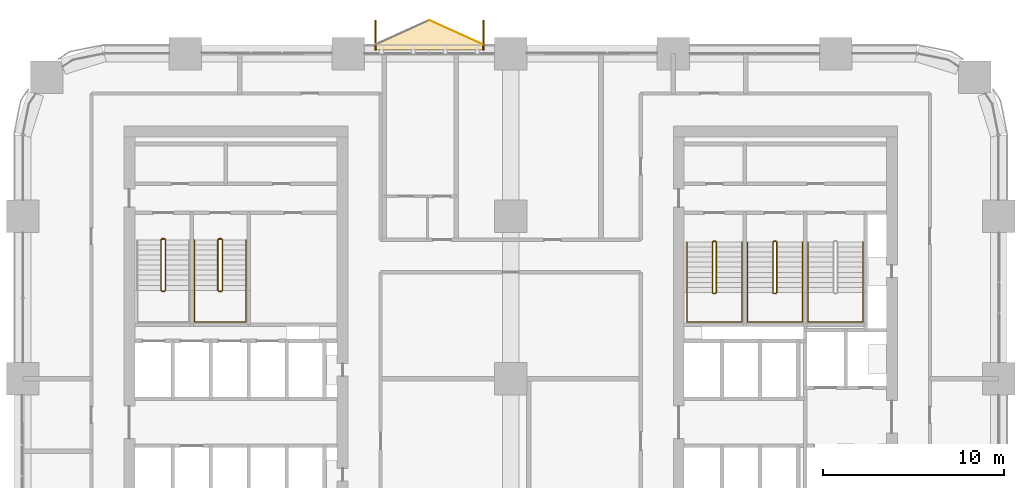
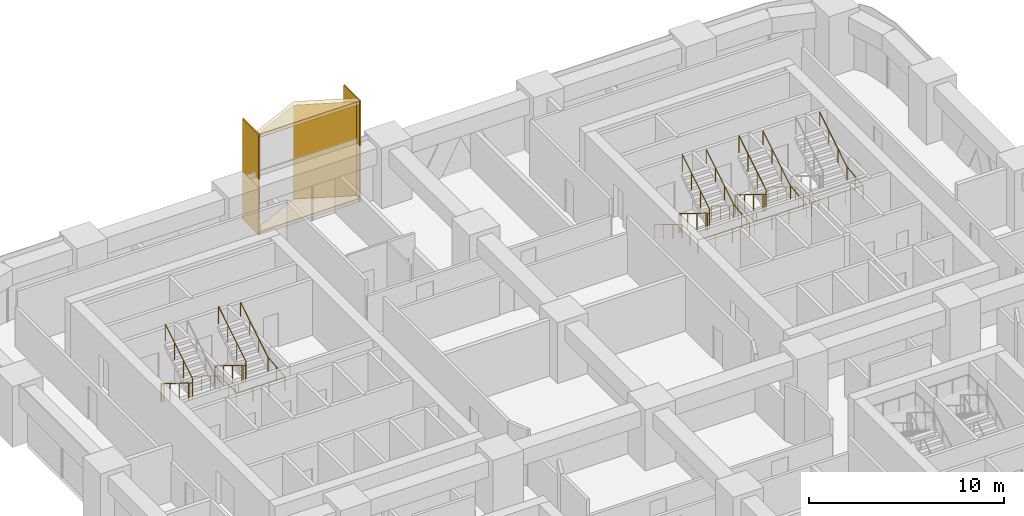
# One storey, part 22 of 23: 8 railings, 5 coverings.
"""IFC4 building model written with IfcOpenShell, lengths in metres."""

import ifcopenshell
import ifcopenshell.guid

model = None  # the IFC model being written
_history = None  # IfcOwnerHistory: only IFC2X3 demands one
_inside = {}  # id of a spatial element -> (the spatial element, [elements in it])
_under = {}  # id of a project, library or spatial element -> (it, [spatial elements below it])
_declared = {}  # id of a project -> (the project, [libraries it declares])
_typed = {}  # id of a type object -> (the type object, [elements of that type])
_made_of = {}  # id of a material, layer set ... -> (it, [elements and type objects made of it])


def new_model(schema):
    """Start an empty IFC model of exactly this schema.

    Asked for "IFC4X3", IfcOpenShell would pick the latest addendum, in which some entities
    have other attributes; the version numbers below select the first issue.
    IFC2X3 requires an IfcOwnerHistory on every rooted entity: one is made here for all.
    """
    global model, _history
    if schema == "IFC4X3":
        model = ifcopenshell.file(schema_version=(4, 3, 0, 0))
    else:
        model = ifcopenshell.file(schema=schema)
    _inside.clear()
    _under.clear()
    _declared.clear()
    _typed.clear()
    _made_of.clear()
    _history = None
    if model.schema == "IFC2X3":
        org = make("IfcOrganization", Name="unknown")
        user = make(
            "IfcPersonAndOrganization",
            ThePerson=make("IfcPerson", FamilyName="unknown"),
            TheOrganization=org,
        )
        app = make(
            "IfcApplication",
            ApplicationDeveloper=org,
            Version="unknown",
            ApplicationFullName="unknown",
            ApplicationIdentifier="unknown",
        )
        _history = make(
            "IfcOwnerHistory",
            OwningUser=user,
            OwningApplication=app,
            ChangeAction="ADDED",
            CreationDate=0,
        )
    return model


def make(cls, **values):
    """One entity of the class cls with the attributes given. An attribute that is None is left unset."""
    return model.create_entity(
        cls, **{name: value for name, value in values.items() if value is not None}
    )


def rooted(cls, **values):
    """An entity with a GlobalId (a new one), such as an element, a storey or a relation."""
    return make(cls, GlobalId=ifcopenshell.guid.new(), OwnerHistory=_history, **values)


def si_unit(unit_type, name, prefix=None):
    """IfcSIUnit, for example si_unit("LENGTHUNIT", "METRE", prefix="MILLI")."""
    return make("IfcSIUnit", UnitType=unit_type, Prefix=prefix, Name=name)


def assignment(units):
    """IfcUnitAssignment: the units of a project."""
    return None if units is None else make("IfcUnitAssignment", Units=units)


def point(xyz):
    """IfcCartesianPoint."""
    return None if xyz is None else make("IfcCartesianPoint", Coordinates=xyz)


def direction(xyz):
    """IfcDirection."""
    return None if xyz is None else make("IfcDirection", DirectionRatios=xyz)


def frame(location, z_axis=None, x_axis=None):
    """IfcAxis2Placement3D, a coordinate frame: its origin and axes. An axis left out is left unset."""
    return make(
        "IfcAxis2Placement3D",
        Location=point(location),
        Axis=direction(z_axis),
        RefDirection=direction(x_axis),
    )


def frame_2d(location, x_axis=None):
    """IfcAxis2Placement2D, a coordinate frame in the plane: its origin and x axis."""
    return make(
        "IfcAxis2Placement2D", Location=point(location), RefDirection=direction(x_axis)
    )


def origin():
    """The frame at (0, 0, 0) with its axes left unset."""
    return frame((0.0, 0.0, 0.0))


def origin_2d():
    """The frame at (0, 0) in the plane with its x axis left unset."""
    return frame_2d((0.0, 0.0))


def place(relative_to, where):
    """IfcLocalPlacement: puts the frame where relative to a parent placement (None: the world)."""
    return make(
        "IfcLocalPlacement", PlacementRelTo=relative_to, RelativePlacement=where
    )


def context(
    kind, dimensions, precision=None, world=None, true_north=None, identifier=None
):
    """IfcGeometricRepresentationContext, for example the 3D "Model" context."""
    return make(
        "IfcGeometricRepresentationContext",
        ContextIdentifier=identifier,
        ContextType=kind,
        CoordinateSpaceDimension=dimensions,
        Precision=precision,
        WorldCoordinateSystem=world,
        TrueNorth=true_north,
    )


def subcontext(parent, identifier, kind, view, scale=None):
    """IfcGeometricRepresentationSubContext, for example "Body" below "Model"."""
    return make(
        "IfcGeometricRepresentationSubContext",
        ContextIdentifier=identifier,
        ContextType=kind,
        ParentContext=parent,
        TargetScale=scale,
        TargetView=view,
    )


def project(units=None, contexts=None):
    """IfcProject with its units and contexts."""
    return rooted(
        "IfcProject",
        Name="project",
        RepresentationContexts=contexts,
        UnitsInContext=assignment(units),
    )


def spatial(cls, under=None, at=None, **own):
    """A site, building, storey or space (cls), placed at a placement, below another one or the project."""
    s = rooted(cls, ObjectPlacement=at, **own)
    if under is not None:
        _under.setdefault(under.id(), (under, []))[1].append(s)
    return s


def polyline(points):
    """IfcPolyline through the points."""
    return make("IfcPolyline", Points=[point(p) for p in points])


def profile(cls, at=None, kind="AREA", **sizes):
    """A parametric profile (cls). Its sizes go by their IFC names, for example OverallWidth=200.0."""
    return make(cls, ProfileType=kind, Position=at, **sizes)


def rectangle(**sizes):
    """IfcRectangleProfileDef."""
    return profile("IfcRectangleProfileDef", **sizes)


def circle(**sizes):
    """IfcCircleProfileDef."""
    return profile("IfcCircleProfileDef", **sizes)


def outline(outer, holes=None, kind="AREA"):
    """IfcArbitraryClosedProfileDef: a profile drawn as a closed curve; with holes, ...WithVoids."""
    if holes is None:
        return make("IfcArbitraryClosedProfileDef", ProfileType=kind, OuterCurve=outer)
    return make(
        "IfcArbitraryProfileDefWithVoids",
        ProfileType=kind,
        OuterCurve=outer,
        InnerCurves=holes,
    )


def extrude(swept, where, along, depth):
    """IfcExtrudedAreaSolid: the profile swept, set in the frame where, extruded along a direction by depth."""
    return make(
        "IfcExtrudedAreaSolid",
        SweptArea=swept,
        Position=where,
        ExtrudedDirection=direction(along),
        Depth=depth,
    )


def shape(context_of_items, identifier, shape_type, items):
    """IfcShapeRepresentation: the items that make up one representation, for example the "Body"."""
    return make(
        "IfcShapeRepresentation",
        ContextOfItems=context_of_items,
        RepresentationIdentifier=identifier,
        RepresentationType=shape_type,
        Items=items,
    )


def material(Name=None, Category=None):
    """IfcMaterial."""
    return make("IfcMaterial", Name=Name, Category=Category)


def layer(
    of_material, thickness, ventilated=None, Name=None, Category=None, Priority=None
):
    """IfcMaterialLayer: one layer of a wall or slab, of a material (None: an air gap)."""
    return make(
        "IfcMaterialLayer",
        Material=of_material,
        LayerThickness=thickness,
        IsVentilated=ventilated,
        Name=Name,
        Category=Category,
        Priority=Priority,
    )


def layer_set(layers, Name=None):
    """IfcMaterialLayerSet."""
    return make("IfcMaterialLayerSet", MaterialLayers=layers, LayerSetName=Name)


def made_of(thing, what):
    """Note that an element or type object is made of a material, layer set ...; save() writes the relation."""
    if what is not None:
        _made_of.setdefault(what.id(), (what, []))[1].append(thing)
    return thing


def type_object(cls, material=None, **own):
    """A type object (cls), such as IfcWallType, which elements share."""
    return made_of(rooted(cls, **own), material)


def element(
    cls,
    number,
    at=None,
    inside=None,
    cuts=None,
    type_object=None,
    material=None,
    context=None,
    identifier="Body",
    shape_type=None,
    held_by="IfcProductDefinitionShape",
    body=None,
    shapes=None,
    **own,
):
    """One element of the class cls, such as IfcWall. Its Tag is "e" and its number.

    at: its placement. inside: the storey or other place that contains it. cuts: it is an
    opening in that element (IfcRelVoidsElement). A single representation is given by context,
    identifier, shape_type and body (its items); several are given by shapes. held_by: the class
    of the entity that holds the representations. save() writes the other relations.
    """
    e = rooted(cls, Tag="e%d" % number, ObjectPlacement=at, **own)
    if body is not None:
        shapes = [shape(context, identifier, shape_type, body)]
    if shapes is not None:
        e.Representation = make(held_by, Representations=shapes)
    if inside is not None:
        _inside.setdefault(inside.id(), (inside, []))[1].append(e)
    if cuts is not None:
        rooted(
            "IfcRelVoidsElement", RelatingBuildingElement=cuts, RelatedOpeningElement=e
        )
    if type_object is not None:
        _typed.setdefault(type_object.id(), (type_object, []))[1].append(e)
    return made_of(e, material)


def aggregate(whole, parts):
    """IfcRelAggregates: a whole, such as a stair, and the parts it consists of."""
    return rooted("IfcRelAggregates", RelatingObject=whole, RelatedObjects=parts)


def save(model, path):
    """Write the relations noted so far, then the file.

    IfcRelAggregates (storeys below a building ...), IfcRelContainedInSpatialStructure (elements
    in a storey), IfcRelDefinesByType, IfcRelAssociatesMaterial and IfcRelDeclares: one each for
    every whole, place, type object, material and project.
    """
    for whole, parts in _under.values():
        aggregate(whole, parts)
    for where, things in _inside.values():
        rooted(
            "IfcRelContainedInSpatialStructure",
            RelatedElements=things,
            RelatingStructure=where,
        )
    for kind, things in _typed.values():
        rooted("IfcRelDefinesByType", RelatedObjects=things, RelatingType=kind)
    for what, things in _made_of.values():
        rooted("IfcRelAssociatesMaterial", RelatedObjects=things, RelatingMaterial=what)
    for by, libraries in _declared.values():
        rooted("IfcRelDeclares", RelatingContext=by, RelatedDefinitions=libraries)
    model.write(path)


model = new_model("IFC4")

# Units and contexts
model_context = context("Model", 3, precision=1e-05, world=origin(), true_north=direction((0.0, 1.0)))
body_context = subcontext(model_context, "Body", "Model", "MODEL_VIEW")
ifc_project = project(units=[si_unit("LENGTHUNIT", "METRE"), si_unit("AREAUNIT", "SQUARE_METRE"), si_unit("VOLUMEUNIT", "CUBIC_METRE"), si_unit("PLANEANGLEUNIT", "RADIAN"), si_unit("MASSUNIT", "GRAM", prefix="KILO")], contexts=[model_context])

# Site, building, storey
site_placement = place(None, origin())
site = spatial("IfcSite", under=ifc_project, at=site_placement, CompositionType="ELEMENT")
building_placement = place(site_placement, origin())
building = spatial("IfcBuilding", under=site, at=building_placement, Name="Tessera Arch", CompositionType="ELEMENT")
storey_placement = place(building_placement, frame((0.0, 0.0, 34.800048828125)))
storey = spatial("IfcBuildingStorey", under=building, at=storey_placement, Name="L06", CompositionType="ELEMENT", Elevation=34.800048828125)

# Railings
ifc_material_1 = material(Name="Painted steel balustrade", Category="steel")
railing_type_1 = type_object("IfcRailingType", Name="Stair guard 1100", PredefinedType="GUARDRAIL", material=ifc_material_1)
railing_1_placement = place(storey_placement, frame((38.219970703125, 43.6298828125, 0.0)))
element("IfcRailing", 1, at=railing_1_placement, inside=storey, type_object=railing_type_1, Name="L06 S1a stair guard 1", PredefinedType="GUARDRAIL", context=body_context, shape_type="SweptSolid", body=[
    extrude(circle(Radius=0.02392578125, at=origin_2d()), frame((-0.00390625, 0.0, 1.076171875), z_axis=(1.0, 0.0, 0.0), x_axis=(0.0, 1.0, 0.0)), (0.0, 0.0, 1.0), 0.1181640625),
    extrude(circle(Radius=0.02392578125, at=origin_2d()), frame((0.11279296875, 0.000732421875, 1.0732421875), z_axis=(-0.665449600336, -0.206938595226, 0.717184249143), x_axis=(0.296948579431, -0.954893471113, 0.0)), (0.0, 0.0, 1.0), 0.248779296875),
    extrude(circle(Radius=0.02392578125, at=origin_2d()), frame((-0.050048828125, -0.04638671875, 1.24658203125), z_axis=(0.0, -0.851089632645, 0.525020415988), x_axis=(1.0, 0.0, 0.0)), (0.0, 0.0, 1.0), 3.2978515625),
    extrude(circle(Radius=0.02392578125, at=origin_2d()), frame((-0.052978515625, -2.846923828125, 2.97607421875), z_axis=(0.707106781187, -0.707106781187, 0.0), x_axis=(0.707106781187, 0.707106781187, 0.0)), (0.0, 0.0, 1.0), 0.078857421875),
    extrude(circle(Radius=0.02392578125, at=origin_2d()), frame((-0.00390625, -2.89990234375, 2.97607421875), z_axis=(1.0, 0.0, 0.0), x_axis=(0.0, 1.0, 0.0)), (0.0, 0.0, 1.0), 0.1181640625),
    extrude(circle(Radius=0.02392578125, at=origin_2d()), frame((0.109130859375, -2.90087890625, 2.97216796875), z_axis=(0.266739603011, 0.268047150085, 0.925743328097), x_axis=(-0.708833529934, 0.705375805398, 0.0)), (0.0, 0.0, 1.0), 0.19482421875),
    extrude(circle(Radius=0.02392578125, at=origin_2d()), frame((0.159912109375, -2.853271484375, 3.146728515625), z_axis=(0.0, 0.851089632645, 0.525020415988), x_axis=(-1.0, 0.0, 0.0)), (0.0, 0.0, 1.0), 3.2978515625),
    extrude(circle(Radius=0.02099609375, at=origin_2d()), origin(), (0.0, 0.0, 1.0), 1.06396484375),
    extrude(circle(Radius=0.02099609375, at=origin_2d()), frame((0.110107421875, 0.0, 0.0)), (0.0, 0.0, 1.0), 1.06396484375),
    extrude(circle(Radius=0.02099609375, at=origin_2d()), frame((-0.050048828125, -0.0498046875, 0.172607421875)), (0.0, 0.0, 1.0), 1.06396484375),
    extrude(circle(Radius=0.02099609375, at=origin_2d()), frame((-0.050048828125, -0.983154296875, 0.748291015625)), (0.0, 0.0, 1.0), 1.06396484375),
    extrude(circle(Radius=0.02099609375, at=origin_2d()), frame((-0.050048828125, -1.91650390625, 1.32421875)), (0.0, 0.0, 1.0), 1.06396484375),
    extrude(circle(Radius=0.02099609375, at=origin_2d()), frame((-0.050048828125, -2.849853515625, 1.89990234375)), (0.0, 0.0, 1.0), 1.06396484375),
    extrude(circle(Radius=0.02099609375, at=origin_2d()), frame((0.0, -2.89990234375, 1.89990234375)), (0.0, 0.0, 1.0), 1.06396484375),
    extrude(circle(Radius=0.02099609375, at=origin_2d()), frame((0.110107421875, -2.89990234375, 1.89990234375)), (0.0, 0.0, 1.0), 1.06396484375),
    extrude(circle(Radius=0.02099609375, at=origin_2d()), frame((0.159912109375, -2.849853515625, 2.07275390625)), (0.0, 0.0, 1.0), 1.06396484375),
    extrude(circle(Radius=0.02099609375, at=origin_2d()), frame((0.159912109375, -1.91650390625, 2.6484375)), (0.0, 0.0, 1.0), 1.06396484375),
    extrude(circle(Radius=0.02099609375, at=origin_2d()), frame((0.159912109375, -0.983154296875, 3.224365234375)), (0.0, 0.0, 1.0), 1.06396484375),
    extrude(circle(Radius=0.02099609375, at=origin_2d()), frame((0.159912109375, -0.0498046875, 3.800048828125)), (0.0, 0.0, 1.0), 1.06396484375),
])
railing_2_placement = place(storey_placement, frame((41.570068359375, 43.6298828125, 0.0)))
element("IfcRailing", 2, at=railing_2_placement, inside=storey, type_object=railing_type_1, Name="L06 S1b stair guard 1", PredefinedType="GUARDRAIL", context=body_context, shape_type="SweptSolid", body=[
    extrude(circle(Radius=0.02392578125, at=origin_2d()), frame((-0.00390625, 0.0, 1.076171875), z_axis=(1.0, 0.0, 0.0), x_axis=(0.0, 1.0, 0.0)), (0.0, 0.0, 1.0), 0.117919921875),
    extrude(circle(Radius=0.02392578125, at=origin_2d()), frame((0.112548828125, 0.000732421875, 1.0732421875), z_axis=(-0.664883824791, -0.207078321004, 0.717668494851), x_axis=(0.297361876254, -0.954764847777, 0.0)), (0.0, 0.0, 1.0), 0.24853515625),
    extrude(circle(Radius=0.02392578125, at=origin_2d()), frame((-0.050048828125, -0.04638671875, 1.24658203125), z_axis=(0.0, -0.851089632645, 0.525020415988), x_axis=(1.0, 0.0, 0.0)), (0.0, 0.0, 1.0), 3.2978515625),
    extrude(circle(Radius=0.02392578125, at=origin_2d()), frame((-0.052978515625, -2.846923828125, 2.97607421875), z_axis=(0.707106781187, -0.707106781187, 0.0), x_axis=(0.707106781187, 0.707106781187, 0.0)), (0.0, 0.0, 1.0), 0.078857421875),
    extrude(circle(Radius=0.02392578125, at=origin_2d()), frame((-0.00390625, -2.89990234375, 2.97607421875), z_axis=(1.0, 0.0, 0.0), x_axis=(0.0, 1.0, 0.0)), (0.0, 0.0, 1.0), 0.117919921875),
    extrude(circle(Radius=0.02392578125, at=origin_2d()), frame((0.10888671875, -2.90087890625, 2.97216796875), z_axis=(0.267953482034, 0.267953482034, 0.925419830635), x_axis=(-0.707106781187, 0.707106781187, 0.0)), (0.0, 0.0, 1.0), 0.19482421875),
    extrude(circle(Radius=0.02392578125, at=origin_2d()), frame((0.159912109375, -2.853271484375, 3.146728515625), z_axis=(0.0, 0.851089632645, 0.525020415988), x_axis=(-1.0, 0.0, 0.0)), (0.0, 0.0, 1.0), 3.2978515625),
    extrude(circle(Radius=0.02099609375, at=origin_2d()), origin(), (0.0, 0.0, 1.0), 1.06396484375),
    extrude(circle(Radius=0.02099609375, at=origin_2d()), frame((0.10986328125, 0.0, 0.0)), (0.0, 0.0, 1.0), 1.06396484375),
    extrude(circle(Radius=0.02099609375, at=origin_2d()), frame((-0.050048828125, -0.0498046875, 0.172607421875)), (0.0, 0.0, 1.0), 1.06396484375),
    extrude(circle(Radius=0.02099609375, at=origin_2d()), frame((-0.050048828125, -0.983154296875, 0.748291015625)), (0.0, 0.0, 1.0), 1.06396484375),
    extrude(circle(Radius=0.02099609375, at=origin_2d()), frame((-0.050048828125, -1.91650390625, 1.32421875)), (0.0, 0.0, 1.0), 1.06396484375),
    extrude(circle(Radius=0.02099609375, at=origin_2d()), frame((-0.050048828125, -2.849853515625, 1.89990234375)), (0.0, 0.0, 1.0), 1.06396484375),
    extrude(circle(Radius=0.02099609375, at=origin_2d()), frame((0.0, -2.89990234375, 1.89990234375)), (0.0, 0.0, 1.0), 1.06396484375),
    extrude(circle(Radius=0.02099609375, at=origin_2d()), frame((0.10986328125, -2.89990234375, 1.89990234375)), (0.0, 0.0, 1.0), 1.06396484375),
    extrude(circle(Radius=0.02099609375, at=origin_2d()), frame((0.159912109375, -2.849853515625, 2.07275390625)), (0.0, 0.0, 1.0), 1.06396484375),
    extrude(circle(Radius=0.02099609375, at=origin_2d()), frame((0.159912109375, -1.91650390625, 2.6484375)), (0.0, 0.0, 1.0), 1.06396484375),
    extrude(circle(Radius=0.02099609375, at=origin_2d()), frame((0.159912109375, -0.983154296875, 3.224365234375)), (0.0, 0.0, 1.0), 1.06396484375),
    extrude(circle(Radius=0.02099609375, at=origin_2d()), frame((0.159912109375, -0.0498046875, 3.800048828125)), (0.0, 0.0, 1.0), 1.06396484375),
])
railing_3_placement = place(storey_placement, frame((7.699951171875, 43.75, 0.0)))
element("IfcRailing", 3, at=railing_3_placement, inside=storey, type_object=railing_type_1, Name="L06 S2a stair guard 1", PredefinedType="GUARDRAIL", context=body_context, shape_type="SweptSolid", body=[
    extrude(circle(Radius=0.02392578125, at=origin_2d()), frame((-0.00390625, 0.0, 1.076171875), z_axis=(1.0, 0.0, 0.0), x_axis=(0.0, 1.0, 0.0)), (0.0, 0.0, 1.0), 0.158203125),
    extrude(circle(Radius=0.02392578125, at=origin_2d()), frame((0.153076171875, 0.000732421875, 1.073486328125), z_axis=(-0.744141464035, -0.186035366009, 0.641595140332), x_axis=(0.242535625036, -0.970142500145, 0.0)), (0.0, 0.0, 1.0), 0.277099609375),
    extrude(circle(Radius=0.02392578125, at=origin_2d()), frame((-0.050048828125, -0.046630859375, 1.24658203125), z_axis=(0.0, -0.851089632645, 0.525020415988), x_axis=(1.0, 0.0, 0.0)), (0.0, 0.0, 1.0), 3.2978515625),
    extrude(circle(Radius=0.02392578125, at=origin_2d()), frame((-0.052978515625, -2.84716796875, 2.97607421875), z_axis=(0.708833529934, -0.705375805398, 0.0), x_axis=(0.705375805398, 0.708833529934, 0.0)), (0.0, 0.0, 1.0), 0.07861328125),
    extrude(circle(Radius=0.02392578125, at=origin_2d()), frame((-0.00390625, -2.89990234375, 2.97607421875), z_axis=(1.0, 0.0, 0.0), x_axis=(0.0, 1.0, 0.0)), (0.0, 0.0, 1.0), 0.158203125),
    extrude(circle(Radius=0.02392578125, at=origin_2d()), frame((0.149169921875, -2.90087890625, 2.97216796875), z_axis=(0.266832911964, 0.266832911964, 0.926067165051), x_axis=(-0.707106781187, 0.707106781187, 0.0)), (0.0, 0.0, 1.0), 0.194580078125),
    extrude(circle(Radius=0.02392578125, at=origin_2d()), frame((0.199951171875, -2.853515625, 3.146728515625), z_axis=(0.0, 0.851089632645, 0.525020415988), x_axis=(-1.0, 0.0, 0.0)), (0.0, 0.0, 1.0), 3.2978515625),
    extrude(circle(Radius=0.02099609375, at=origin_2d()), origin(), (0.0, 0.0, 1.0), 1.06396484375),
    extrude(circle(Radius=0.02099609375, at=origin_2d()), frame((0.150146484375, 0.0, 0.0)), (0.0, 0.0, 1.0), 1.06396484375),
    extrude(circle(Radius=0.02099609375, at=origin_2d()), frame((-0.050048828125, -0.050048828125, 0.172607421875)), (0.0, 0.0, 1.0), 1.06396484375),
    extrude(circle(Radius=0.02099609375, at=origin_2d()), frame((-0.050048828125, -0.9833984375, 0.748291015625)), (0.0, 0.0, 1.0), 1.06396484375),
    extrude(circle(Radius=0.02099609375, at=origin_2d()), frame((-0.050048828125, -1.916748046875, 1.32421875)), (0.0, 0.0, 1.0), 1.06396484375),
    extrude(circle(Radius=0.02099609375, at=origin_2d()), frame((-0.050048828125, -2.85009765625, 1.89990234375)), (0.0, 0.0, 1.0), 1.06396484375),
    extrude(circle(Radius=0.02099609375, at=origin_2d()), frame((0.0, -2.89990234375, 1.89990234375)), (0.0, 0.0, 1.0), 1.06396484375),
    extrude(circle(Radius=0.02099609375, at=origin_2d()), frame((0.150146484375, -2.89990234375, 1.89990234375)), (0.0, 0.0, 1.0), 1.06396484375),
    extrude(circle(Radius=0.02099609375, at=origin_2d()), frame((0.199951171875, -2.85009765625, 2.07275390625)), (0.0, 0.0, 1.0), 1.06396484375),
    extrude(circle(Radius=0.02099609375, at=origin_2d()), frame((0.199951171875, -1.916748046875, 2.6484375)), (0.0, 0.0, 1.0), 1.06396484375),
    extrude(circle(Radius=0.02099609375, at=origin_2d()), frame((0.199951171875, -0.9833984375, 3.224365234375)), (0.0, 0.0, 1.0), 1.06396484375),
    extrude(circle(Radius=0.02099609375, at=origin_2d()), frame((0.199951171875, -0.050048828125, 3.800048828125)), (0.0, 0.0, 1.0), 1.06396484375),
])
railing_4_placement = place(storey_placement, frame((10.85009765625, 43.75, 0.0)))
element("IfcRailing", 4, at=railing_4_placement, inside=storey, type_object=railing_type_1, Name="L06 S2b stair guard 1", PredefinedType="GUARDRAIL", context=body_context, shape_type="SweptSolid", body=[
    extrude(circle(Radius=0.02392578125, at=origin_2d()), frame((-0.00390625, 0.0, 1.076171875), z_axis=(1.0, 0.0, 0.0), x_axis=(0.0, 1.0, 0.0)), (0.0, 0.0, 1.0), 0.157958984375),
    extrude(circle(Radius=0.02392578125, at=origin_2d()), frame((0.15283203125, 0.000732421875, 1.073486328125), z_axis=(-0.743736083135, -0.18616104645, 0.642028584587), x_axis=(0.242814311512, -0.970072785993, 0.0)), (0.0, 0.0, 1.0), 0.27685546875),
    extrude(circle(Radius=0.02392578125, at=origin_2d()), frame((-0.050048828125, -0.046630859375, 1.24658203125), z_axis=(0.0, -0.851089632645, 0.525020415988), x_axis=(1.0, 0.0, 0.0)), (0.0, 0.0, 1.0), 3.2978515625),
    extrude(circle(Radius=0.02392578125, at=origin_2d()), frame((-0.052978515625, -2.84716796875, 2.97607421875), z_axis=(0.708833529934, -0.705375805398, 0.0), x_axis=(0.705375805398, 0.708833529934, 0.0)), (0.0, 0.0, 1.0), 0.07861328125),
    extrude(circle(Radius=0.02392578125, at=origin_2d()), frame((-0.00390625, -2.89990234375, 2.97607421875), z_axis=(1.0, 0.0, 0.0), x_axis=(0.0, 1.0, 0.0)), (0.0, 0.0, 1.0), 0.157958984375),
    extrude(circle(Radius=0.02392578125, at=origin_2d()), frame((0.14892578125, -2.90087890625, 2.97216796875), z_axis=(0.268047150085, 0.266739603011, 0.925743328097), x_axis=(-0.705375805398, 0.708833529934, 0.0)), (0.0, 0.0, 1.0), 0.19482421875),
    extrude(circle(Radius=0.02392578125, at=origin_2d()), frame((0.199951171875, -2.853515625, 3.146728515625), z_axis=(0.0, 0.851089632645, 0.525020415988), x_axis=(-1.0, 0.0, 0.0)), (0.0, 0.0, 1.0), 3.2978515625),
    extrude(circle(Radius=0.02099609375, at=origin_2d()), origin(), (0.0, 0.0, 1.0), 1.06396484375),
    extrude(circle(Radius=0.02099609375, at=origin_2d()), frame((0.14990234375, 0.0, 0.0)), (0.0, 0.0, 1.0), 1.06396484375),
    extrude(circle(Radius=0.02099609375, at=origin_2d()), frame((-0.050048828125, -0.050048828125, 0.172607421875)), (0.0, 0.0, 1.0), 1.06396484375),
    extrude(circle(Radius=0.02099609375, at=origin_2d()), frame((-0.050048828125, -0.9833984375, 0.748291015625)), (0.0, 0.0, 1.0), 1.06396484375),
    extrude(circle(Radius=0.02099609375, at=origin_2d()), frame((-0.050048828125, -1.916748046875, 1.32421875)), (0.0, 0.0, 1.0), 1.06396484375),
    extrude(circle(Radius=0.02099609375, at=origin_2d()), frame((-0.050048828125, -2.85009765625, 1.89990234375)), (0.0, 0.0, 1.0), 1.06396484375),
    extrude(circle(Radius=0.02099609375, at=origin_2d()), frame((0.0, -2.89990234375, 1.89990234375)), (0.0, 0.0, 1.0), 1.06396484375),
    extrude(circle(Radius=0.02099609375, at=origin_2d()), frame((0.14990234375, -2.89990234375, 1.89990234375)), (0.0, 0.0, 1.0), 1.06396484375),
    extrude(circle(Radius=0.02099609375, at=origin_2d()), frame((0.199951171875, -2.85009765625, 2.07275390625)), (0.0, 0.0, 1.0), 1.06396484375),
    extrude(circle(Radius=0.02099609375, at=origin_2d()), frame((0.199951171875, -1.916748046875, 2.6484375)), (0.0, 0.0, 1.0), 1.06396484375),
    extrude(circle(Radius=0.02099609375, at=origin_2d()), frame((0.199951171875, -0.9833984375, 3.224365234375)), (0.0, 0.0, 1.0), 1.06396484375),
    extrude(circle(Radius=0.02099609375, at=origin_2d()), frame((0.199951171875, -0.050048828125, 3.800048828125)), (0.0, 0.0, 1.0), 1.06396484375),
])
ifc_material_2 = material(Name="Painted steel handrail", Category="steel")
railing_type_2 = type_object("IfcRailingType", Name="Stair handrail 900", PredefinedType="HANDRAIL", material=ifc_material_2)
railing_5_placement = place(storey_placement, frame((36.75, 43.580078125, 0.172607421875)))
element("IfcRailing", 5, at=railing_5_placement, inside=storey, type_object=railing_type_2, Name="L06 S1a stair handrail", PredefinedType="HANDRAIL", context=body_context, shape_type="SweptSolid", body=[
    extrude(circle(Radius=0.02392578125, at=origin_2d()), frame((0.0, 0.00341796875, 0.873779296875), z_axis=(0.0, -0.851089632645, 0.525020415988), x_axis=(1.0, 0.0, 0.0)), (0.0, 0.0, 1.0), 3.2978515625),
    extrude(circle(Radius=0.02392578125, at=origin_2d()), frame((0.0, -2.796142578125, 2.60302734375), z_axis=(0.0, -1.0, 0.0), x_axis=(1.0, 0.0, 0.0)), (0.0, 0.0, 1.0), 1.63818359375),
    extrude(circle(Radius=0.02392578125, at=origin_2d()), frame((-0.00390625, -4.43017578125, 2.60302734375), z_axis=(1.0, 0.0, 0.0), x_axis=(0.0, 1.0, 0.0)), (0.0, 0.0, 1.0), 3.05810546875),
    extrude(circle(Radius=0.02392578125, at=origin_2d()), frame((3.050048828125, -4.43408203125, 2.602783203125), z_axis=(0.0, 0.994425187763, 0.105444515941), x_axis=(-1.0, 0.0, 0.0)), (0.0, 0.0, 1.0), 1.647216796875),
    extrude(circle(Radius=0.02392578125, at=origin_2d()), frame((3.050048828125, -2.803466796875, 2.77392578125), z_axis=(0.0, 0.851089632645, 0.525020415988), x_axis=(-1.0, 0.0, 0.0)), (0.0, 0.0, 1.0), 3.2978515625),
    extrude(circle(Radius=0.02099609375, at=origin_2d()), origin(), (0.0, 0.0, 1.0), 0.86376953125),
    extrude(circle(Radius=0.02099609375, at=origin_2d()), frame((0.0, -0.933349609375, 0.57568359375)), (0.0, 0.0, 1.0), 0.86376953125),
    extrude(circle(Radius=0.02099609375, at=origin_2d()), frame((0.0, -1.86669921875, 1.151611328125)), (0.0, 0.0, 1.0), 0.86376953125),
    extrude(circle(Radius=0.02099609375, at=origin_2d()), frame((0.0, -2.800048828125, 1.727294921875)), (0.0, 0.0, 1.0), 0.86376953125),
    extrude(circle(Radius=0.02099609375, at=origin_2d()), frame((0.0, -3.615234375, 1.727294921875)), (0.0, 0.0, 1.0), 0.86376953125),
    extrude(circle(Radius=0.02099609375, at=origin_2d()), frame((0.0, -4.43017578125, 1.727294921875)), (0.0, 0.0, 1.0), 0.86376953125),
    extrude(circle(Radius=0.02099609375, at=origin_2d()), frame((1.0166015625, -4.43017578125, 1.727294921875)), (0.0, 0.0, 1.0), 0.86376953125),
    extrude(circle(Radius=0.02099609375, at=origin_2d()), frame((2.033447265625, -4.43017578125, 1.727294921875)), (0.0, 0.0, 1.0), 0.86376953125),
    extrude(circle(Radius=0.02099609375, at=origin_2d()), frame((3.050048828125, -4.43017578125, 1.727294921875)), (0.0, 0.0, 1.0), 0.86376953125),
    extrude(circle(Radius=0.02099609375, at=origin_2d()), frame((3.050048828125, -3.615234375, 1.813720703125)), (0.0, 0.0, 1.0), 0.86376953125),
    extrude(circle(Radius=0.02099609375, at=origin_2d()), frame((3.050048828125, -2.800048828125, 1.900146484375)), (0.0, 0.0, 1.0), 0.86376953125),
    extrude(circle(Radius=0.02099609375, at=origin_2d()), frame((3.050048828125, -1.86669921875, 2.475830078125)), (0.0, 0.0, 1.0), 0.86376953125),
    extrude(circle(Radius=0.02099609375, at=origin_2d()), frame((3.050048828125, -0.933349609375, 3.0517578125)), (0.0, 0.0, 1.0), 0.86376953125),
    extrude(circle(Radius=0.02099609375, at=origin_2d()), frame((3.050048828125, 0.0, 3.62744140625)), (0.0, 0.0, 1.0), 0.86376953125),
])
railing_6_placement = place(storey_placement, frame((40.10009765625, 43.580078125, 0.172607421875)))
element("IfcRailing", 6, at=railing_6_placement, inside=storey, type_object=railing_type_2, Name="L06 S1b stair handrail", PredefinedType="HANDRAIL", context=body_context, shape_type="SweptSolid", body=[
    extrude(circle(Radius=0.02392578125, at=origin_2d()), frame((0.0, 0.00341796875, 0.873779296875), z_axis=(0.0, -0.851089632645, 0.525020415988), x_axis=(1.0, 0.0, 0.0)), (0.0, 0.0, 1.0), 3.2978515625),
    extrude(circle(Radius=0.02392578125, at=origin_2d()), frame((0.0, -2.796142578125, 2.60302734375), z_axis=(0.0, -1.0, 0.0), x_axis=(1.0, 0.0, 0.0)), (0.0, 0.0, 1.0), 1.63818359375),
    extrude(circle(Radius=0.02392578125, at=origin_2d()), frame((-0.00390625, -4.43017578125, 2.60302734375), z_axis=(1.0, 0.0, 0.0), x_axis=(0.0, 1.0, 0.0)), (0.0, 0.0, 1.0), 3.057861328125),
    extrude(circle(Radius=0.02392578125, at=origin_2d()), frame((3.0498046875, -4.43408203125, 2.602783203125), z_axis=(0.0, 0.994425187763, 0.105444515941), x_axis=(-1.0, 0.0, 0.0)), (0.0, 0.0, 1.0), 1.647216796875),
    extrude(circle(Radius=0.02392578125, at=origin_2d()), frame((3.0498046875, -2.803466796875, 2.77392578125), z_axis=(0.0, 0.851089632645, 0.525020415988), x_axis=(-1.0, 0.0, 0.0)), (0.0, 0.0, 1.0), 3.2978515625),
    extrude(circle(Radius=0.02099609375, at=origin_2d()), origin(), (0.0, 0.0, 1.0), 0.86376953125),
    extrude(circle(Radius=0.02099609375, at=origin_2d()), frame((0.0, -0.933349609375, 0.57568359375)), (0.0, 0.0, 1.0), 0.86376953125),
    extrude(circle(Radius=0.02099609375, at=origin_2d()), frame((0.0, -1.86669921875, 1.151611328125)), (0.0, 0.0, 1.0), 0.86376953125),
    extrude(circle(Radius=0.02099609375, at=origin_2d()), frame((0.0, -2.800048828125, 1.727294921875)), (0.0, 0.0, 1.0), 0.86376953125),
    extrude(circle(Radius=0.02099609375, at=origin_2d()), frame((0.0, -3.615234375, 1.727294921875)), (0.0, 0.0, 1.0), 0.86376953125),
    extrude(circle(Radius=0.02099609375, at=origin_2d()), frame((0.0, -4.43017578125, 1.727294921875)), (0.0, 0.0, 1.0), 0.86376953125),
    extrude(circle(Radius=0.02099609375, at=origin_2d()), frame((1.0166015625, -4.43017578125, 1.727294921875)), (0.0, 0.0, 1.0), 0.86376953125),
    extrude(circle(Radius=0.02099609375, at=origin_2d()), frame((2.033203125, -4.43017578125, 1.727294921875)), (0.0, 0.0, 1.0), 0.86376953125),
    extrude(circle(Radius=0.02099609375, at=origin_2d()), frame((3.0498046875, -4.43017578125, 1.727294921875)), (0.0, 0.0, 1.0), 0.86376953125),
    extrude(circle(Radius=0.02099609375, at=origin_2d()), frame((3.0498046875, -3.615234375, 1.813720703125)), (0.0, 0.0, 1.0), 0.86376953125),
    extrude(circle(Radius=0.02099609375, at=origin_2d()), frame((3.0498046875, -2.800048828125, 1.900146484375)), (0.0, 0.0, 1.0), 0.86376953125),
    extrude(circle(Radius=0.02099609375, at=origin_2d()), frame((3.0498046875, -1.86669921875, 2.475830078125)), (0.0, 0.0, 1.0), 0.86376953125),
    extrude(circle(Radius=0.02099609375, at=origin_2d()), frame((3.0498046875, -0.933349609375, 3.0517578125)), (0.0, 0.0, 1.0), 0.86376953125),
    extrude(circle(Radius=0.02099609375, at=origin_2d()), frame((3.0498046875, 0.0, 3.62744140625)), (0.0, 0.0, 1.0), 0.86376953125),
])
railing_7_placement = place(storey_placement, frame((43.449951171875, 43.580078125, 0.172607421875)))
element("IfcRailing", 7, at=railing_7_placement, inside=storey, type_object=railing_type_2, Name="L06 S1c stair handrail", PredefinedType="HANDRAIL", context=body_context, shape_type="SweptSolid", body=[
    extrude(circle(Radius=0.02392578125, at=origin_2d()), frame((0.0, 0.00341796875, 0.873779296875), z_axis=(0.0, -0.851089632645, 0.525020415988), x_axis=(1.0, 0.0, 0.0)), (0.0, 0.0, 1.0), 3.2978515625),
    extrude(circle(Radius=0.02392578125, at=origin_2d()), frame((0.0, -2.796142578125, 2.60302734375), z_axis=(0.0, -1.0, 0.0), x_axis=(1.0, 0.0, 0.0)), (0.0, 0.0, 1.0), 1.63818359375),
    extrude(circle(Radius=0.02392578125, at=origin_2d()), frame((-0.00390625, -4.43017578125, 2.60302734375), z_axis=(1.0, 0.0, 0.0), x_axis=(0.0, 1.0, 0.0)), (0.0, 0.0, 1.0), 3.05810546875),
    extrude(circle(Radius=0.02392578125, at=origin_2d()), frame((3.050048828125, -4.43408203125, 2.602783203125), z_axis=(0.0, 0.994425187763, 0.105444515941), x_axis=(-1.0, 0.0, 0.0)), (0.0, 0.0, 1.0), 1.647216796875),
    extrude(circle(Radius=0.02392578125, at=origin_2d()), frame((3.050048828125, -2.803466796875, 2.77392578125), z_axis=(0.0, 0.851089632645, 0.525020415988), x_axis=(-1.0, 0.0, 0.0)), (0.0, 0.0, 1.0), 3.2978515625),
    extrude(circle(Radius=0.02099609375, at=origin_2d()), origin(), (0.0, 0.0, 1.0), 0.86376953125),
    extrude(circle(Radius=0.02099609375, at=origin_2d()), frame((0.0, -0.933349609375, 0.57568359375)), (0.0, 0.0, 1.0), 0.86376953125),
    extrude(circle(Radius=0.02099609375, at=origin_2d()), frame((0.0, -1.86669921875, 1.151611328125)), (0.0, 0.0, 1.0), 0.86376953125),
    extrude(circle(Radius=0.02099609375, at=origin_2d()), frame((0.0, -2.800048828125, 1.727294921875)), (0.0, 0.0, 1.0), 0.86376953125),
    extrude(circle(Radius=0.02099609375, at=origin_2d()), frame((0.0, -3.615234375, 1.727294921875)), (0.0, 0.0, 1.0), 0.86376953125),
    extrude(circle(Radius=0.02099609375, at=origin_2d()), frame((0.0, -4.43017578125, 1.727294921875)), (0.0, 0.0, 1.0), 0.86376953125),
    extrude(circle(Radius=0.02099609375, at=origin_2d()), frame((1.0166015625, -4.43017578125, 1.727294921875)), (0.0, 0.0, 1.0), 0.86376953125),
    extrude(circle(Radius=0.02099609375, at=origin_2d()), frame((2.033447265625, -4.43017578125, 1.727294921875)), (0.0, 0.0, 1.0), 0.86376953125),
    extrude(circle(Radius=0.02099609375, at=origin_2d()), frame((3.050048828125, -4.43017578125, 1.727294921875)), (0.0, 0.0, 1.0), 0.86376953125),
    extrude(circle(Radius=0.02099609375, at=origin_2d()), frame((3.050048828125, -3.615234375, 1.813720703125)), (0.0, 0.0, 1.0), 0.86376953125),
    extrude(circle(Radius=0.02099609375, at=origin_2d()), frame((3.050048828125, -2.800048828125, 1.900146484375)), (0.0, 0.0, 1.0), 0.86376953125),
    extrude(circle(Radius=0.02099609375, at=origin_2d()), frame((3.050048828125, -1.86669921875, 2.475830078125)), (0.0, 0.0, 1.0), 0.86376953125),
    extrude(circle(Radius=0.02099609375, at=origin_2d()), frame((3.050048828125, -0.933349609375, 3.0517578125)), (0.0, 0.0, 1.0), 0.86376953125),
    extrude(circle(Radius=0.02099609375, at=origin_2d()), frame((3.050048828125, 0.0, 3.62744140625)), (0.0, 0.0, 1.0), 0.86376953125),
])
railing_8_placement = place(storey_placement, frame((9.5, 43.699951171875, 0.172607421875)))
element("IfcRailing", 8, at=railing_8_placement, inside=storey, type_object=railing_type_2, Name="L06 S2b stair handrail", PredefinedType="HANDRAIL", context=body_context, shape_type="SweptSolid", body=[
    extrude(circle(Radius=0.02392578125, at=origin_2d()), frame((0.0, 0.00341796875, 0.873779296875), z_axis=(0.0, -0.851089632645, 0.525020415988), x_axis=(1.0, 0.0, 0.0)), (0.0, 0.0, 1.0), 3.2978515625),
    extrude(circle(Radius=0.02392578125, at=origin_2d()), frame((0.0, -2.796142578125, 2.60302734375), z_axis=(0.0, -1.0, 0.0), x_axis=(1.0, 0.0, 0.0)), (0.0, 0.0, 1.0), 1.758056640625),
    extrude(circle(Radius=0.02392578125, at=origin_2d()), frame((-0.00390625, -4.550048828125, 2.60302734375), z_axis=(1.0, 0.0, 0.0), x_axis=(0.0, 1.0, 0.0)), (0.0, 0.0, 1.0), 2.858154296875),
    extrude(circle(Radius=0.02392578125, at=origin_2d()), frame((2.85009765625, -4.553955078125, 2.602783203125), z_axis=(0.0, 0.995157418657, 0.098294008428), x_axis=(-1.0, 0.0, 0.0)), (0.0, 0.0, 1.0), 1.7666015625),
    extrude(circle(Radius=0.02392578125, at=origin_2d()), frame((2.85009765625, -2.803466796875, 2.77392578125), z_axis=(0.0, 0.851089632645, 0.525020415988), x_axis=(-1.0, 0.0, 0.0)), (0.0, 0.0, 1.0), 3.2978515625),
    extrude(circle(Radius=0.02099609375, at=origin_2d()), origin(), (0.0, 0.0, 1.0), 0.86376953125),
    extrude(circle(Radius=0.02099609375, at=origin_2d()), frame((0.0, -0.933349609375, 0.57568359375)), (0.0, 0.0, 1.0), 0.86376953125),
    extrude(circle(Radius=0.02099609375, at=origin_2d()), frame((0.0, -1.86669921875, 1.151611328125)), (0.0, 0.0, 1.0), 0.86376953125),
    extrude(circle(Radius=0.02099609375, at=origin_2d()), frame((0.0, -2.800048828125, 1.727294921875)), (0.0, 0.0, 1.0), 0.86376953125),
    extrude(circle(Radius=0.02099609375, at=origin_2d()), frame((0.0, -3.675048828125, 1.727294921875)), (0.0, 0.0, 1.0), 0.86376953125),
    extrude(circle(Radius=0.02099609375, at=origin_2d()), frame((0.0, -4.550048828125, 1.727294921875)), (0.0, 0.0, 1.0), 0.86376953125),
    extrude(circle(Radius=0.02099609375, at=origin_2d()), frame((0.949951171875, -4.550048828125, 1.727294921875)), (0.0, 0.0, 1.0), 0.86376953125),
    extrude(circle(Radius=0.02099609375, at=origin_2d()), frame((1.900146484375, -4.550048828125, 1.727294921875)), (0.0, 0.0, 1.0), 0.86376953125),
    extrude(circle(Radius=0.02099609375, at=origin_2d()), frame((2.85009765625, -4.550048828125, 1.727294921875)), (0.0, 0.0, 1.0), 0.86376953125),
    extrude(circle(Radius=0.02099609375, at=origin_2d()), frame((2.85009765625, -3.675048828125, 1.813720703125)), (0.0, 0.0, 1.0), 0.86376953125),
    extrude(circle(Radius=0.02099609375, at=origin_2d()), frame((2.85009765625, -2.800048828125, 1.900146484375)), (0.0, 0.0, 1.0), 0.86376953125),
    extrude(circle(Radius=0.02099609375, at=origin_2d()), frame((2.85009765625, -1.86669921875, 2.475830078125)), (0.0, 0.0, 1.0), 0.86376953125),
    extrude(circle(Radius=0.02099609375, at=origin_2d()), frame((2.85009765625, -0.933349609375, 3.0517578125)), (0.0, 0.0, 1.0), 0.86376953125),
    extrude(circle(Radius=0.02099609375, at=origin_2d()), frame((2.85009765625, 0.0, 3.62744140625)), (0.0, 0.0, 1.0), 0.86376953125),
])

# Coverings
ifc_material_3 = material(Name="Anodised aluminium pale metal", Category="aluminium")
ifc_layer_1 = layer(ifc_material_3, 0.080078125)
ifc_layer_set_1 = layer_set([ifc_layer_1], Name="Window box cheek")
covering_type_1 = type_object("IfcCoveringType", Name="Window box cheek", PredefinedType="CLADDING", material=ifc_layer_set_1)
covering_1_placement = place(storey_placement, origin())
element("IfcCovering", 9, at=covering_1_placement, inside=storey, type_object=covering_type_1, Name="Window box N54.0/3.0 2x2 cheek", PredefinedType="CLADDING", context=body_context, shape_type="SweptSolid", body=[
    extrude(outline(polyline([(25.530029296875, 55.85009765625), (25.449951171875, 55.85009765625), (25.449951171875, 54.199951171875), (25.530029296875, 54.199951171875), (25.530029296875, 55.85009765625)])), origin(), (0.0, 0.0, 1.0), 6.300048828125),
])
covering_2_placement = place(storey_placement, origin())
element("IfcCovering", 10, at=covering_2_placement, inside=storey, type_object=covering_type_1, Name="Window box N54.0/3.0 2x2 cheek", PredefinedType="CLADDING", context=body_context, shape_type="SweptSolid", body=[
    extrude(outline(polyline([(19.550048828125, 55.85009765625), (19.469970703125, 55.85009765625), (19.469970703125, 54.199951171875), (19.550048828125, 54.199951171875), (19.550048828125, 55.85009765625)])), origin(), (0.0, 0.0, 1.0), 6.300048828125),
])
ifc_material_4 = material(Name="Anodised aluminium pale metal", Category="aluminium")
ifc_layer_2 = layer(ifc_material_4, 0.219970703125)
ifc_layer_set_2 = layer_set([ifc_layer_2], Name="Window box frame plate pale metal")
covering_type_2 = type_object("IfcCoveringType", Name="Window box frame plate pale metal", PredefinedType="CLADDING", material=ifc_layer_set_2)
covering_3_placement = place(storey_placement, origin())
element("IfcCovering", 11, at=covering_3_placement, inside=storey, type_object=covering_type_2, Name="Window box N54.0/3.0 2x2 floor", PredefinedType="CLADDING", context=body_context, shape_type="SweptSolid", body=[
    extrude(outline(polyline([(25.449951171875, 54.510009765625), (22.5, 55.85009765625), (19.550048828125, 54.510009765625), (19.550048828125, 54.199951171875), (25.449951171875, 54.199951171875), (25.449951171875, 54.510009765625)])), origin(), (0.0, 0.0, 1.0), 0.219970703125),
])
covering_4_placement = place(storey_placement, frame((0.0, 0.0, 6.079833984375)))
element("IfcCovering", 12, at=covering_4_placement, inside=storey, type_object=covering_type_2, Name="Window box N54.0/3.0 2x2 roof", PredefinedType="CLADDING", context=body_context, shape_type="SweptSolid", body=[
    extrude(outline(polyline([(25.449951171875, 54.510009765625), (22.5, 55.85009765625), (19.550048828125, 54.510009765625), (19.550048828125, 54.199951171875), (25.449951171875, 54.199951171875), (25.449951171875, 54.510009765625)])), origin(), (0.0, 0.0, 1.0), 0.22021484375),
])
ifc_material_5 = material(Name="Anodised aluminium pale metal", Category="aluminium")
ifc_layer_3 = layer(ifc_material_5, 0.028076171875)
ifc_layer_set_3 = layer_set([ifc_layer_3], Name="Window box side panel")
covering_type_3 = type_object("IfcCoveringType", Name="Window box side panel", PredefinedType="CLADDING", material=ifc_layer_set_3)
covering_5_placement = place(storey_placement, frame((23.97509765625, 55.179931640625, 0.2197265625), z_axis=(0.0, 0.0, 1.0), x_axis=(-0.910472144558, 0.413570397858, 0.0)))
element("IfcCovering", 13, at=covering_5_placement, inside=storey, type_object=covering_type_3, Name="Window box N54.0/3.0 2x2 side panel", PredefinedType="CLADDING", context=body_context, shape_type="SweptSolid", body=[
    extrude(rectangle(XDim=3.239990234375, YDim=0.028076171875, at=origin_2d()), origin(), (0.0, 0.0, 1.0), 5.860107421875),
])

save(model, "model.ifc")
